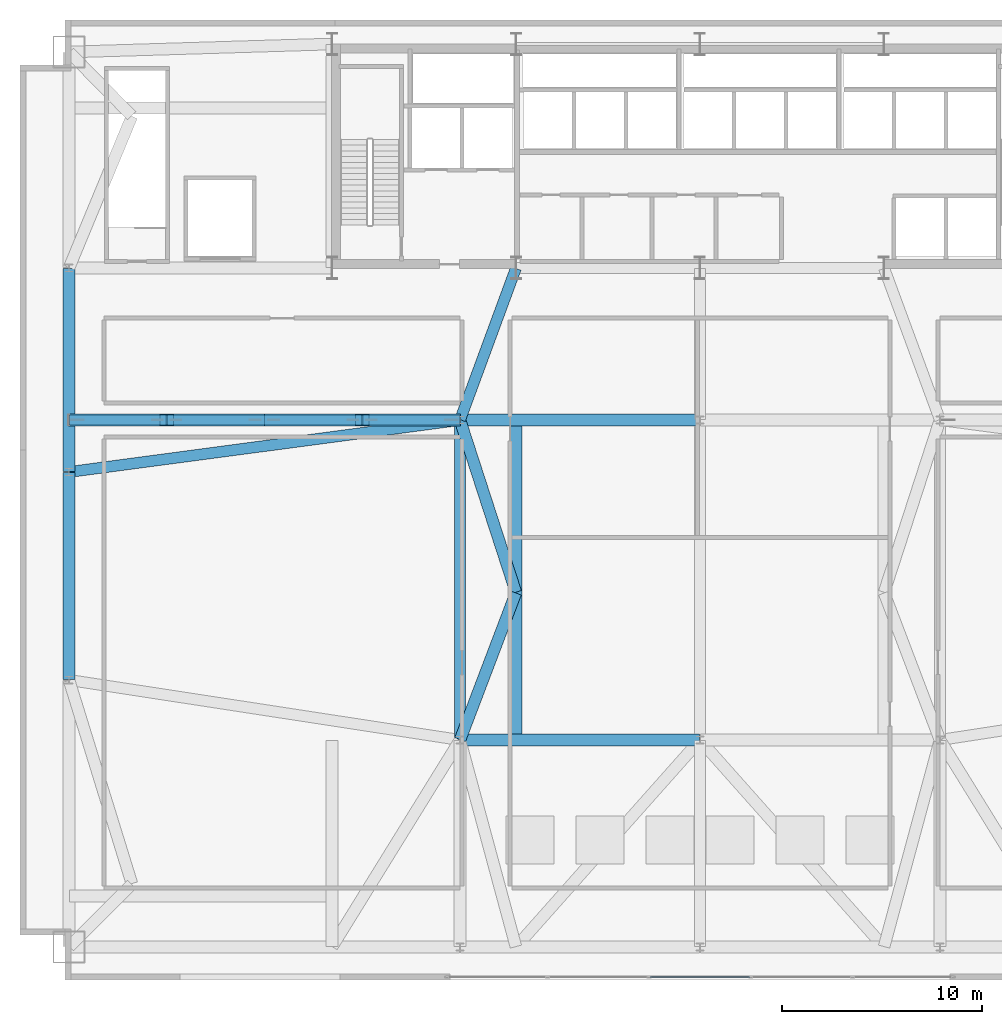
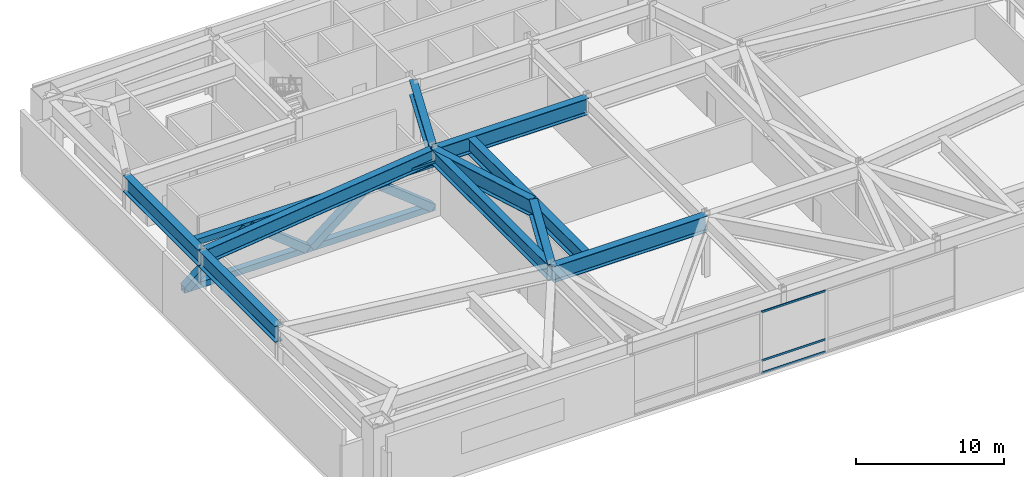
# One storey, part 6 of 16: 10 beams, 9 members, 1 element without a shape of its own.
"""IFC4 building model written with IfcOpenShell, lengths in metres."""

from ifc_helpers import new_model, si_unit, direction, frame, origin, origin_2d, place, context, subcontext, project, spatial, hollow_rectangle, i_section, extrude, source, transform, mapped, material, layer, layer_set, material_profile, profile_set, type_object, type_shapes, element, aggregate, save


model = new_model("IFC4")

# Units and contexts
model_context = context("Model", 3, precision=1e-05, world=origin(), true_north=direction((0.0, 1.0)))
body_context = subcontext(model_context, "Body", "Model", "MODEL_VIEW")
ifc_project = project(units=[si_unit("LENGTHUNIT", "METRE"), si_unit("AREAUNIT", "SQUARE_METRE"), si_unit("VOLUMEUNIT", "CUBIC_METRE"), si_unit("PLANEANGLEUNIT", "RADIAN"), si_unit("MASSUNIT", "GRAM", prefix="KILO")], contexts=[model_context])

# Site, building, storey
site_placement = place(None, origin())
site = spatial("IfcSite", under=ifc_project, at=site_placement, CompositionType="ELEMENT")
building_placement = place(site_placement, origin())
building = spatial("IfcBuilding", under=site, at=building_placement, Name="Varnel Quay Broadcast Tower", CompositionType="ELEMENT")
storey_placement = place(building_placement, frame((0.0, 0.0, 22.199951171875)))
storey = spatial("IfcBuildingStorey", under=building, at=storey_placement, Name="L04", CompositionType="ELEMENT", Elevation=22.199951171875)

# Beams
ifc_material_1 = material(Name="Structural Steel CSA G40.21 350WT", Category="steel")
ifc_material_profile_1 = material_profile(ifc_material_1, i_section(OverallWidth=0.580078125, OverallDepth=1.330078125, WebThickness=0.02197265625, FlangeThickness=0.0380859375, FilletRadius=0.02001953125, at=origin_2d()), Name="WWF1330X535")
ifc_profile_set_1 = profile_set([ifc_material_profile_1], Name="Structural Steel CSA G40.21 350WT")
beam_type_1 = type_object("IfcBeamType", Name="Girder_WWF1330X535", PredefinedType="BEAM", material=ifc_profile_set_1)
shared_shape_1 = source(origin(), body_context, "Body", "SweptSolid", [
    extrude(i_section(OverallWidth=0.580078125, OverallDepth=1.330078125, WebThickness=0.02197265625, FlangeThickness=0.0380859375, FilletRadius=0.02001953125, at=origin_2d()), origin(), (0.0, 0.0, 1.0), 11.9599609375),
])
for number, where, z_axis, x_axis, name in (
    (1, (22.02001953125, 12.0, 4.4150390625), (1.0, 0.0, 0.0), (0.0, 1.0, 0.0), "L04 Primary Transfer Girder TRG-M1"),
    (2, (22.02001953125, 28.0, 4.4150390625), (1.0, 0.0, 0.0), (0.0, 1.0, 0.0), "L04 Primary Transfer Girder TRG-M3"),
):
    element("IfcBeam", number, at=place(storey_placement, frame(where, z_axis=z_axis, x_axis=x_axis)), inside=storey, type_object=beam_type_1, Name=name, PredefinedType="BEAM", context=body_context, shape_type="MappedRepresentation", body=[
        mapped(shared_shape_1, transform((0.0, 0.0, 0.0), x_axis=(1.0, 0.0, 0.0), y_axis=(0.0, 1.0, 0.0), z_axis=(0.0, 0.0, 1.0), scale=1.0)),
    ])
shared_shape_2 = source(origin(), body_context, "Body", "SweptSolid", [
    extrude(i_section(OverallWidth=0.580078125, OverallDepth=1.330078125, WebThickness=0.02197265625, FlangeThickness=0.0380859375, FilletRadius=0.02001953125, at=origin_2d()), origin(), (0.0, 0.0, 1.0), 10.35986328125),
])
beam_1_placement = place(storey_placement, frame((2.449951171875, 15.02001953125, 4.4150390625), z_axis=(0.0, 1.0, 0.0), x_axis=(-1.0, 0.0, 0.0)))
element("IfcBeam", 3, at=beam_1_placement, inside=storey, type_object=beam_type_1, Name="L04 Primary Transfer Girder TRG-W2", PredefinedType="BEAM", context=body_context, shape_type="MappedRepresentation", body=[
    mapped(shared_shape_2, transform((0.0, 0.0, 0.0), x_axis=(1.0, 0.0, 0.0), y_axis=(0.0, 1.0, 0.0), z_axis=(0.0, 0.0, 1.0), scale=1.0)),
])
shared_shape_3 = source(origin(), body_context, "Body", "SweptSolid", [
    extrude(i_section(OverallWidth=0.580078125, OverallDepth=1.330078125, WebThickness=0.02197265625, FlangeThickness=0.0380859375, FilletRadius=0.02001953125, at=origin_2d()), origin(), (0.0, 0.0, 1.0), 10.16015625),
])
beam_2_placement = place(storey_placement, frame((2.449951171875, 25.419921875, 4.4150390625), z_axis=(0.0, 1.0, 0.0), x_axis=(-1.0, 0.0, 0.0)))
element("IfcBeam", 4, at=beam_2_placement, inside=storey, type_object=beam_type_1, Name="L04 Primary Transfer Girder TRG-W3", PredefinedType="BEAM", context=body_context, shape_type="MappedRepresentation", body=[
    mapped(shared_shape_3, transform((0.0, 0.0, 0.0), x_axis=(1.0, 0.0, 0.0), y_axis=(0.0, 1.0, 0.0), z_axis=(0.0, 0.0, 1.0), scale=1.0)),
])
shared_shape_4 = source(origin(), body_context, "Body", "SweptSolid", [
    extrude(i_section(OverallWidth=0.580078125, OverallDepth=1.330078125, WebThickness=0.02197265625, FlangeThickness=0.0380859375, FilletRadius=0.02001953125, at=origin_2d()), origin(), (0.0, 0.0, 1.0), 15.9599609375),
])
beam_3_placement = place(storey_placement, frame((24.800048828125, 12.02001953125, 4.4150390625), z_axis=(0.0, 1.0, 0.0), x_axis=(-1.0, 0.0, 0.0)))
element("IfcBeam", 5, at=beam_3_placement, inside=storey, type_object=beam_type_1, Name="L04 Transfer Girder IC-01", PredefinedType="BEAM", context=body_context, shape_type="MappedRepresentation", body=[
    mapped(shared_shape_4, transform((0.0, 0.0, 0.0), x_axis=(1.0, 0.0, 0.0), y_axis=(0.0, 1.0, 0.0), z_axis=(0.0, 0.0, 1.0), scale=1.0)),
])
shared_shape_5 = source(origin(), body_context, "Body", "SweptSolid", [
    extrude(i_section(OverallWidth=0.580078125, OverallDepth=1.330078125, WebThickness=0.02197265625, FlangeThickness=0.0380859375, FilletRadius=0.02001953125, at=origin_2d()), origin(), (0.0, 0.0, 1.0), 7.843994140625),
])
beam_4_placement = place(storey_placement, frame((22.007080078125, 12.018798828125, 4.4150390625), z_axis=(0.355165540835, 0.934803422439, 0.0), x_axis=(-0.934803422439, 0.355165540835, 0.0)))
element("IfcBeam", 6, at=beam_4_placement, inside=storey, type_object=beam_type_1, Name="L04 Nodal Transfer Tie IC-01-PC-04", PredefinedType="BEAM", context=body_context, shape_type="MappedRepresentation", body=[
    mapped(shared_shape_5, transform((0.0, 0.0, 0.0), x_axis=(1.0, 0.0, 0.0), y_axis=(0.0, 1.0, 0.0), z_axis=(0.0, 0.0, 1.0), scale=1.0)),
])
shared_shape_6 = source(origin(), body_context, "Body", "SweptSolid", [
    extrude(i_section(OverallWidth=0.580078125, OverallDepth=1.330078125, WebThickness=0.02197265625, FlangeThickness=0.0380859375, FilletRadius=0.02001953125, at=origin_2d()), origin(), (0.0, 0.0, 1.0), 9.032958984375),
])
type_shapes(beam_type_1, [shared_shape_1, shared_shape_2, shared_shape_3, shared_shape_4, shared_shape_5, shared_shape_6])
beam_5_placement = place(storey_placement, frame((22.006103515625, 27.98095703125, 4.4150390625), z_axis=(0.308603840112, -0.951190659052, 0.0), x_axis=(0.951190659052, 0.308603840112, 0.0)))
element("IfcBeam", 7, at=beam_5_placement, inside=storey, type_object=beam_type_1, Name="L04 Nodal Transfer Tie IC-01-PC-06", PredefinedType="BEAM", context=body_context, shape_type="MappedRepresentation", body=[
    mapped(shared_shape_6, transform((0.0, 0.0, 0.0), x_axis=(1.0, 0.0, 0.0), y_axis=(0.0, 1.0, 0.0), z_axis=(0.0, 0.0, 1.0), scale=1.0)),
])
ifc_material_profile_2 = material_profile(ifc_material_1, i_section(OverallWidth=0.550048828125, OverallDepth=1.199951171875, WebThickness=0.02001953125, FlangeThickness=0.034912109375, FilletRadius=0.02001953125, at=origin_2d()), Name="WWF1200X487")
ifc_profile_set_2 = profile_set([ifc_material_profile_2], Name="Structural Steel CSA G40.21 350WT")
beam_type_2 = type_object("IfcBeamType", Name="Girder_WWF1200X487", PredefinedType="BEAM", material=ifc_profile_set_2)
shared_shape_7 = source(origin(), body_context, "Body", "SweptSolid", [
    extrude(i_section(OverallWidth=0.550048828125, OverallDepth=1.199951171875, WebThickness=0.02001953125, FlangeThickness=0.034912109375, FilletRadius=0.02001953125, at=origin_2d()), origin(), (0.0, 0.0, 1.0), 19.682373046875),
])
beam_6_placement = place(storey_placement, frame((2.4697265625, 25.402587890625, 4.47998046875), z_axis=(0.991272261072, 0.131830589885, 0.0), x_axis=(-0.131830589885, 0.991272261072, 0.0)))
element("IfcBeam", 8, at=beam_6_placement, inside=storey, type_object=beam_type_2, Name="L04 Girder G-STA2", PredefinedType="BEAM", context=body_context, shape_type="MappedRepresentation", body=[
    mapped(shared_shape_7, transform((0.0, 0.0, 0.0), x_axis=(1.0, 0.0, 0.0), y_axis=(0.0, 1.0, 0.0), z_axis=(0.0, 0.0, 1.0), scale=1.0)),
])
shared_shape_8 = source(origin(), body_context, "Body", "SweptSolid", [
    extrude(i_section(OverallWidth=0.550048828125, OverallDepth=1.199951171875, WebThickness=0.02001953125, FlangeThickness=0.034912109375, FilletRadius=0.02001953125, at=origin_2d()), origin(), (0.0, 0.0, 1.0), 15.9599609375),
])
beam_7_placement = place(storey_placement, frame((22.0, 12.02001953125, 4.47998046875), z_axis=(0.0, 1.0, 0.0), x_axis=(-1.0, 0.0, 0.0)))
element("IfcBeam", 9, at=beam_7_placement, inside=storey, type_object=beam_type_2, Name="L04 Girder G-M2", PredefinedType="BEAM", context=body_context, shape_type="MappedRepresentation", body=[
    mapped(shared_shape_8, transform((0.0, 0.0, 0.0), x_axis=(1.0, 0.0, 0.0), y_axis=(0.0, 1.0, 0.0), z_axis=(0.0, 0.0, 1.0), scale=1.0)),
])
shared_shape_9 = source(origin(), body_context, "Body", "SweptSolid", [
    extrude(i_section(OverallWidth=0.550048828125, OverallDepth=1.199951171875, WebThickness=0.02001953125, FlangeThickness=0.034912109375, FilletRadius=0.02001953125, at=origin_2d()), origin(), (0.0, 0.0, 1.0), 8.0595703125),
])
type_shapes(beam_type_2, [shared_shape_7, shared_shape_8, shared_shape_9])
beam_8_placement = place(storey_placement, frame((22.0068359375, 28.018798828125, 4.47998046875), z_axis=(0.345726415607, 0.938335358788, 0.0), x_axis=(-0.938335358788, 0.345726415607, 0.0)))
element("IfcBeam", 10, at=beam_8_placement, inside=storey, type_object=beam_type_2, Name="L04 Girder G-C1", PredefinedType="BEAM", context=body_context, shape_type="MappedRepresentation", body=[
    mapped(shared_shape_9, transform((0.0, 0.0, 0.0), x_axis=(1.0, 0.0, 0.0), y_axis=(0.0, 1.0, 0.0), z_axis=(0.0, 0.0, 1.0), scale=1.0)),
])

# Members
ifc_material_profile_3 = material_profile(ifc_material_1, hollow_rectangle(XDim=0.5, YDim=0.5, WallThickness=0.02490234375, at=origin_2d()), Name="BOX500X500X25")
ifc_profile_set_3 = profile_set([ifc_material_profile_3], Name="Structural Steel CSA G40.21 350WT")
member_type_1 = type_object("IfcMemberType", Name="Chord_BOX500X500X25", PredefinedType="CHORD", material=ifc_profile_set_3)
shared_shape_10 = source(origin(), body_context, "Body", "SweptSolid", [
    extrude(hollow_rectangle(XDim=0.5, YDim=0.5, WallThickness=0.02490234375, at=origin_2d()), origin(), (0.0, 0.0, 1.0), 19.550048828125),
])
type_shapes(member_type_1, [shared_shape_10])
for number, where, z_axis, x_axis, name in (
    (11, (2.449951171875, 28.0, 0.25), (1.0, 0.0, 0.0), (0.0, 1.0, 0.0), "L04 Warren Transfer Bottom Chord 1"),
    (12, (2.449951171875, 28.0, 3.860107421875), (1.0, 0.0, 0.0), (0.0, 1.0, 0.0), "L04 Warren Transfer Top Chord 1"),
):
    element("IfcMember", number, at=place(storey_placement, frame(where, z_axis=z_axis, x_axis=x_axis)), inside=storey, type_object=member_type_1, Name=name, PredefinedType="CHORD", context=body_context, shape_type="MappedRepresentation", body=[
        mapped(shared_shape_10, transform((0.0, 0.0, 0.0), x_axis=(1.0, 0.0, 0.0), y_axis=(0.0, 1.0, 0.0), z_axis=(0.0, 0.0, 1.0), scale=1.0)),
    ])
ifc_material_profile_4 = material_profile(ifc_material_1, hollow_rectangle(XDim=0.60009765625, YDim=0.60009765625, WallThickness=0.028076171875, at=origin_2d()), Name="BOX600X600X28")
ifc_profile_set_4 = profile_set([ifc_material_profile_4], Name="Structural Steel CSA G40.21 350WT")
member_type_2 = type_object("IfcMemberType", Name="WarrenDiag_BOX600X600X28", PredefinedType="BRACE", material=ifc_profile_set_4)
shared_shape_11 = source(origin(), body_context, "Body", "SweptSolid", [
    extrude(hollow_rectangle(XDim=0.60009765625, YDim=0.60009765625, WallThickness=0.028076171875, at=origin_2d()), origin(), (0.0, 0.0, 1.0), 5.82177734375),
])
for number, where, z_axis, x_axis, name in (
    (13, (2.610107421875, 28.0, 0.25), (0.784525183208, 0.0, 0.62009695767), (0.0, 1.0, 0.0), "L04 Warren Transfer Diagonal 1.1"),
    (14, (7.49755859375, 28.0, 3.860107421875), (0.784525183208, 0.0, -0.62009695767), (0.0, 1.0, 0.0), "L04 Warren Transfer Diagonal 1.2"),
    (15, (12.385009765625, 28.0, 0.25), (0.784525183208, 0.0, 0.62009695767), (0.0, 1.0, 0.0), "L04 Warren Transfer Diagonal 1.3"),
):
    element("IfcMember", number, at=place(storey_placement, frame(where, z_axis=z_axis, x_axis=x_axis)), inside=storey, type_object=member_type_2, Name=name, PredefinedType="BRACE", context=body_context, shape_type="MappedRepresentation", body=[
        mapped(shared_shape_11, transform((0.0, 0.0, 0.0), x_axis=(1.0, 0.0, 0.0), y_axis=(0.0, 1.0, 0.0), z_axis=(0.0, 0.0, 1.0), scale=1.0)),
    ])
shared_shape_12 = source(origin(), body_context, "Body", "SweptSolid", [
    extrude(hollow_rectangle(XDim=0.60009765625, YDim=0.60009765625, WallThickness=0.028076171875, at=origin_2d()), origin(), (0.0, 0.0, 1.0), 5.822021484375),
])
type_shapes(member_type_2, [shared_shape_11, shared_shape_12])
member_1_placement = place(storey_placement, frame((17.2724609375, 28.0, 3.860107421875), z_axis=(0.784541307376, 0.0, -0.620076557387), x_axis=(0.0, 1.0, 0.0)))
element("IfcMember", 16, at=member_1_placement, inside=storey, type_object=member_type_2, Name="L04 Warren Transfer Diagonal 1.4", PredefinedType="BRACE", context=body_context, shape_type="MappedRepresentation", body=[
    mapped(shared_shape_12, transform((0.0, 0.0, 0.0), x_axis=(1.0, 0.0, 0.0), y_axis=(0.0, 1.0, 0.0), z_axis=(0.0, 0.0, 1.0), scale=1.0)),
])

# Curtain wall, members
ifc_material_2 = material(Name="Anodised Bronze Aluminium 6063-T6", Category="aluminium")
ifc_layer = layer(ifc_material_2, 0.18994140625, Name="Anodised Bronze Aluminium 6063-T6")
ifc_layer_set = layer_set([ifc_layer], Name="Anodised Bronze Aluminium 6063-T6")
curtain_wall_type = type_object("IfcCurtainWallType", Name="CW_PodiumForum", PredefinedType="NOTDEFINED", material=ifc_layer_set)
curtain_wall_placement = place(storey_placement, origin())
curtain_wall = element("IfcCurtainWall", 17, at=curtain_wall_placement, inside=storey, type_object=curtain_wall_type, Name="L04 Waterfront Forum Curtain Wall", PredefinedType="NOTDEFINED")
ifc_material_profile_5 = material_profile(ifc_material_2, hollow_rectangle(XDim=0.06494140625, YDim=0.1650390625, WallThickness=0.00341796875, at=origin_2d()), Name="ALU65X165X3.5")
ifc_profile_set_5 = profile_set([ifc_material_profile_5], Name="Anodised Bronze Aluminium 6063-T6")
member_type_3 = type_object("IfcMemberType", Name="Tran_CWS-01", PredefinedType="USERDEFINED", material=ifc_profile_set_5)
shared_shape_13 = source(origin(), body_context, "Body", "SweptSolid", [
    extrude(hollow_rectangle(XDim=0.06494140625, YDim=0.1650390625, WallThickness=0.00341796875, at=origin_2d()), origin(), (0.0, 0.0, 1.0), 5.0048828125),
])
type_shapes(member_type_3, [shared_shape_13])
member_2_placement = place(storey_placement, frame((31.49755859375, 0.14990234375, 0.032470703125), z_axis=(1.0, 0.0, 0.0), x_axis=(0.0, 1.0, 0.0)))
member_2 = element("IfcMember", 18, at=member_2_placement, type_object=member_type_3, Name="CWS-01 transom 3.1", ObjectType="TRANSOM", PredefinedType="USERDEFINED", context=body_context, shape_type="MappedRepresentation", body=[
    mapped(shared_shape_13, transform((0.0, 0.0, 0.0), x_axis=(1.0, 0.0, 0.0), y_axis=(0.0, 1.0, 0.0), z_axis=(0.0, 0.0, 1.0), scale=1.0)),
])
member_3_placement = place(storey_placement, frame((31.49755859375, 0.14990234375, 1.050048828125), z_axis=(1.0, 0.0, 0.0), x_axis=(0.0, 1.0, 0.0)))
member_3 = element("IfcMember", 19, at=member_3_placement, type_object=member_type_3, Name="CWS-01 transom 3.2", ObjectType="TRANSOM", PredefinedType="USERDEFINED", context=body_context, shape_type="MappedRepresentation", body=[
    mapped(shared_shape_13, transform((0.0, 0.0, 0.0), x_axis=(1.0, 0.0, 0.0), y_axis=(0.0, 1.0, 0.0), z_axis=(0.0, 0.0, 1.0), scale=1.0)),
])
member_4_placement = place(storey_placement, frame((31.49755859375, 0.14990234375, 5.047607421875), z_axis=(1.0, 0.0, 0.0), x_axis=(0.0, 1.0, 0.0)))
member_4 = element("IfcMember", 20, at=member_4_placement, type_object=member_type_3, Name="CWS-01 transom 3.3", ObjectType="TRANSOM", PredefinedType="USERDEFINED", context=body_context, shape_type="MappedRepresentation", body=[
    mapped(shared_shape_13, transform((0.0, 0.0, 0.0), x_axis=(1.0, 0.0, 0.0), y_axis=(0.0, 1.0, 0.0), z_axis=(0.0, 0.0, 1.0), scale=1.0)),
])
aggregate(curtain_wall, [member_2, member_3, member_4])

save(model, "model.ifc")
